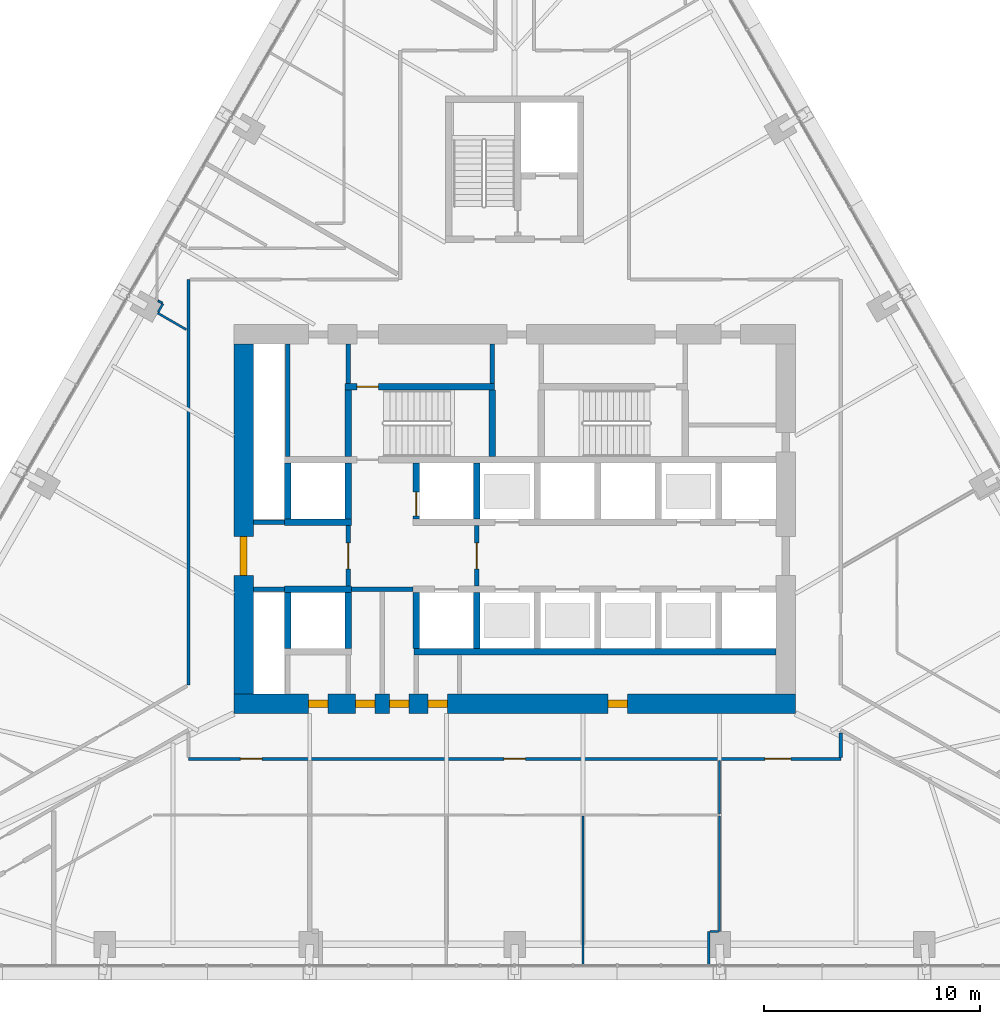
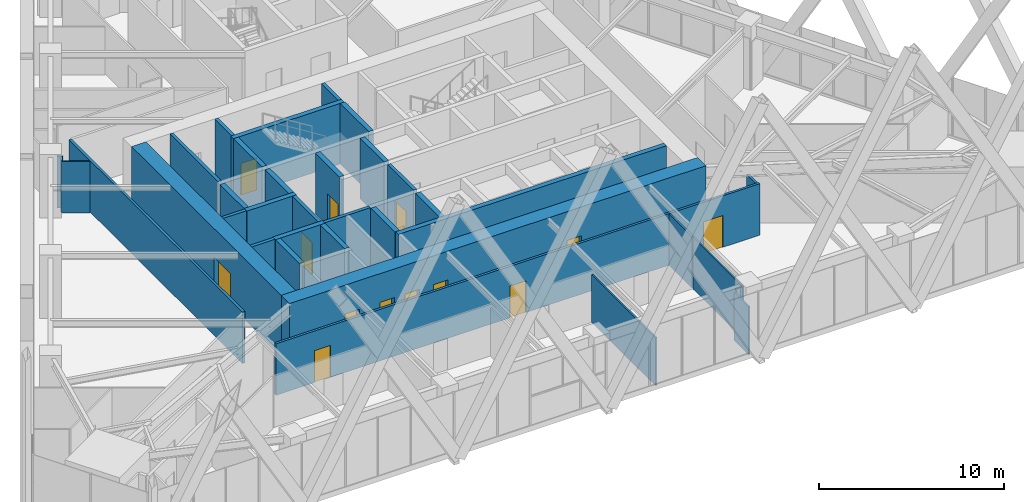
# One storey, part 16 of 21: 35 walls, 13 doors, 13 openings.
"""IFC4 building model written with IfcOpenShell, lengths in metres."""

from ifc_helpers import new_model, si_unit, direction, frame, frame_2d, origin, place, context, subcontext, project, spatial, rectangle, extrude, material, layer, layer_set, type_object, element, fill, save


model = new_model("IFC4")

# Units and contexts
model_context = context("Model", 3, precision=1e-05, world=origin(), true_north=direction((0.0, 1.0)))
body_context = subcontext(model_context, "Body", "Model", "MODEL_VIEW")
ifc_project = project(units=[si_unit("LENGTHUNIT", "METRE"), si_unit("AREAUNIT", "SQUARE_METRE"), si_unit("VOLUMEUNIT", "CUBIC_METRE"), si_unit("PLANEANGLEUNIT", "RADIAN"), si_unit("MASSUNIT", "GRAM", prefix="KILO")], contexts=[model_context])

# Site, building, storey
site_placement = place(None, origin())
site = spatial("IfcSite", under=ifc_project, at=site_placement, CompositionType="ELEMENT")
building_placement = place(site_placement, origin())
building = spatial("IfcBuilding", under=site, at=building_placement, Name="Firuza Gate Tower and Library", CompositionType="ELEMENT")
storey_placement = place(building_placement, frame((0.0, 0.0, 73.60009765625)))
storey = spatial("IfcBuildingStorey", under=building, at=storey_placement, Name="L16", CompositionType="ELEMENT", Elevation=73.60009765625)

# Walls
ifc_material_1 = material(Name="Plasterboard on steel studs", Category="steel")
ifc_layer_1 = layer(ifc_material_1, 0.199951171875)
ifc_layer_set_1 = layer_set([ifc_layer_1], Name="Core partition 200 EI 120")
wall_type_1 = type_object("IfcWallType", Name="Core partition 200 EI 120", PredefinedType="PARTITIONING", material=ifc_layer_set_1)
wall_1_placement = place(storey_placement, frame((62.89990234375, 71.75, 0.0), z_axis=(0.0, 0.0, 1.0), x_axis=(1.0, 0.0, 0.0)))
element("IfcWall", 1, at=wall_1_placement, inside=storey, type_object=wall_type_1, Name="Core partition L16 1", PredefinedType="PARTITIONING", context=body_context, shape_type="SweptSolid", body=[
    extrude(rectangle(XDim=1.4501953125, YDim=0.199951171875, at=frame_2d((0.72509765625, 0.0))), origin(), (0.0, 0.0, 1.0), 4.0),
])
wall_2_placement = place(storey_placement, frame((67.449951171875, 71.75, 0.0), z_axis=(0.0, 0.0, 1.0), x_axis=(1.0, 0.0, 0.0)))
element("IfcWall", 2, at=wall_2_placement, inside=storey, type_object=wall_type_1, Name="Core partition L16 2", PredefinedType="PARTITIONING", context=body_context, shape_type="SweptSolid", body=[
    extrude(rectangle(XDim=2.85009765625, YDim=0.199951171875, at=frame_2d((1.425048828125, 0.0))), origin(), (0.0, 0.0, 1.0), 4.0),
])
wall_3_placement = place(storey_placement, frame((62.89990234375, 74.85009765625, 0.0), z_axis=(0.0, 0.0, 1.0), x_axis=(1.0, 0.0, 0.0)))
element("IfcWall", 3, at=wall_3_placement, inside=storey, type_object=wall_type_1, Name="Core partition L16 3", PredefinedType="PARTITIONING", context=body_context, shape_type="SweptSolid", body=[
    extrude(rectangle(XDim=1.4501953125, YDim=0.199951171875, at=frame_2d((0.72509765625, 0.0))), origin(), (0.0, 0.0, 1.0), 4.0),
])
wall_4_placement = place(storey_placement, frame((64.5, 77.89990234375, 0.0), z_axis=(0.0, 0.0, 1.0), x_axis=(0.0, 1.0, 0.0)))
element("IfcWall", 4, at=wall_4_placement, inside=storey, type_object=wall_type_1, Name="Core partition L16 6", PredefinedType="PARTITIONING", context=body_context, shape_type="SweptSolid", body=[
    extrude(rectangle(XDim=5.2001953125, YDim=0.199951171875, at=frame_2d((2.60009765625, 0.0))), origin(), (0.0, 0.0, 1.0), 4.0),
])

# Wall, opening, door
ifc_material_2 = material(Name="Plasterboard on steel studs", Category="steel")
ifc_layer_2 = layer(ifc_material_2, 0.199951171875)
ifc_layer_set_2 = layer_set([ifc_layer_2], Name="Core partition 200 EI 60")
wall_type_2 = type_object("IfcWallType", Name="Core partition 200 EI 60", PredefinedType="PARTITIONING", material=ifc_layer_set_2)
wall_5_placement = place(storey_placement, frame((67.300048828125, 71.89990234375, 0.0), z_axis=(0.0, 0.0, 1.0), x_axis=(0.0, 1.0, 0.0)))
wall_5 = element("IfcWall", 5, at=wall_5_placement, inside=storey, type_object=wall_type_2, Name="Core partition L16 8", PredefinedType="PARTITIONING", context=body_context, shape_type="SweptSolid", body=[
    extrude(rectangle(XDim=2.800048828125, YDim=0.199951171875, at=frame_2d((1.39990234375, 0.0))), origin(), (0.0, 0.0, 1.0), 4.0),
])
opening_1_placement = place(wall_5_placement, frame((0.800048828125, 0.0, 0.0)))
opening_1 = element("IfcOpeningElement", 6, at=opening_1_placement, cuts=wall_5, Name="Opening L16-K21", PredefinedType="OPENING", context=body_context, shape_type="SweptSolid", body=[
    extrude(rectangle(XDim=1.199951171875, YDim=2.10009765625, at=frame_2d((0.60009765625, 1.050048828125))), frame((0.0, 0.10986328125, 0.0), z_axis=(0.0, -1.0, 0.0), x_axis=(1.0, 0.0, 0.0)), (0.0, 0.0, 1.0), 0.219970703125),
])
ifc_material_3 = material(Name="Steel", Category="steel")
door_type_1 = type_object("IfcDoorType", Name="Fire door 1200x2100 FD90S", OperationType="NOTDEFINED", PredefinedType="DOOR", material=ifc_material_3)
door_1_placement = place(opening_1_placement, origin())
door_1 = element("IfcDoor", 7, at=door_1_placement, inside=storey, type_object=door_type_1, Name="Door L16-K21", OperationType="SINGLE_SWING_RIGHT", OverallHeight=2.10009765625, OverallWidth=1.199951171875, PredefinedType="DOOR", context=body_context, shape_type="SweptSolid", body=[
    extrude(rectangle(XDim=1.199951171875, YDim=2.10009765625, at=frame_2d((0.60009765625, 1.050048828125))), frame((0.0, 0.02490234375, 0.0), z_axis=(0.0, -1.0, 0.0), x_axis=(1.0, 0.0, 0.0)), (0.0, 0.0, 1.0), 0.050048828125),
])
fill(opening_1, door_1)

# Wall
wall_6_placement = place(storey_placement, frame((67.300048828125, 81.280029296875, 0.0), z_axis=(0.0, 0.0, 1.0), x_axis=(0.0, 1.0, 0.0)))
element("IfcWall", 8, at=wall_6_placement, inside=storey, type_object=wall_type_2, Name="Core partition L16 9", PredefinedType="PARTITIONING", context=body_context, shape_type="SweptSolid", body=[
    extrude(rectangle(XDim=1.820068359375, YDim=0.199951171875, at=frame_2d((0.91015625, 0.0))), origin(), (0.0, 0.0, 1.0), 4.0),
])

# Wall, opening, door
wall_7_placement = place(storey_placement, frame((73.25, 71.89990234375, 0.0), z_axis=(0.0, 0.0, 1.0), x_axis=(0.0, 1.0, 0.0)))
wall_7 = element("IfcWall", 9, at=wall_7_placement, inside=storey, type_object=wall_type_2, Name="Core partition L16 13", PredefinedType="PARTITIONING", context=body_context, shape_type="SweptSolid", body=[
    extrude(rectangle(XDim=2.800048828125, YDim=0.199951171875, at=frame_2d((1.39990234375, 0.0))), origin(), (0.0, 0.0, 1.0), 4.0),
])
opening_2_placement = place(wall_7_placement, frame((0.800048828125, 0.0, 0.0)))
opening_2 = element("IfcOpeningElement", 10, at=opening_2_placement, cuts=wall_7, Name="Opening L16-K20", PredefinedType="OPENING", context=body_context, shape_type="SweptSolid", body=[
    extrude(rectangle(XDim=1.199951171875, YDim=2.10009765625, at=frame_2d((0.60009765625, 1.050048828125))), frame((0.0, 0.10986328125, 0.0), z_axis=(0.0, -1.0, 0.0), x_axis=(1.0, 0.0, 0.0)), (0.0, 0.0, 1.0), 0.219970703125),
])
door_2_placement = place(opening_2_placement, origin())
door_2 = element("IfcDoor", 11, at=door_2_placement, inside=storey, type_object=door_type_1, Name="Door L16-K20", OperationType="SINGLE_SWING_LEFT", OverallHeight=2.10009765625, OverallWidth=1.199951171875, PredefinedType="DOOR", context=body_context, shape_type="SweptSolid", body=[
    extrude(rectangle(XDim=1.199951171875, YDim=2.10009765625, at=frame_2d((0.60009765625, 1.050048828125))), frame((0.0, 0.02490234375, 0.0), z_axis=(0.0, -1.0, 0.0), x_axis=(1.0, 0.0, 0.0)), (0.0, 0.0, 1.0), 0.050048828125),
])
fill(opening_2, door_2)

# Walls
wall_8_placement = place(storey_placement, frame((73.9599609375, 81.280029296875, 0.0), z_axis=(0.0, 0.0, 1.0), x_axis=(0.0, 1.0, 0.0)))
element("IfcWall", 12, at=wall_8_placement, inside=storey, type_object=wall_type_2, Name="Core partition L16 14", PredefinedType="PARTITIONING", context=body_context, shape_type="SweptSolid", body=[
    extrude(rectangle(XDim=1.820068359375, YDim=0.199951171875, at=frame_2d((0.91015625, 0.0))), origin(), (0.0, 0.0, 1.0), 4.0),
])
ifc_material_4 = material(Name="Concrete C80/95", Category="concrete")
ifc_layer_3 = layer(ifc_material_4, 0.300048828125)
ifc_layer_set_3 = layer_set([ifc_layer_3], Name="Core wall 300 C80/95")
wall_type_3 = type_object("IfcWallType", Name="Core wall 300 C80/95", PredefinedType="SHEAR", material=ifc_layer_set_3)
wall_9_placement = place(storey_placement, frame((70.35009765625, 68.85009765625, 0.0), z_axis=(0.0, 0.0, 1.0), x_axis=(1.0, 0.0, 0.0)))
element("IfcWall", 13, at=wall_9_placement, inside=storey, type_object=wall_type_3, Name="Core wall L16 6", PredefinedType="SHEAR", context=body_context, shape_type="SweptSolid", body=[
    extrude(rectangle(XDim=16.75, YDim=0.300048828125, at=frame_2d((8.375, 0.0))), origin(), (0.0, 0.0, 1.0), 4.0),
])
for number, where, z_axis, x_axis, name in (
    (14, (64.35009765625, 71.75, 0.0), (0.0, 0.0, 1.0), (1.0, 0.0, 0.0), "Core wall L16 7"),
    (15, (64.35009765625, 74.85009765625, 0.0), (0.0, 0.0, 1.0), (1.0, 0.0, 0.0), "Core wall L16 9"),
):
    element("IfcWall", number, at=place(storey_placement, frame(where, z_axis=z_axis, x_axis=x_axis)), inside=storey, type_object=wall_type_3, Name=name, PredefinedType="SHEAR", context=body_context, shape_type="SweptSolid", body=[
        extrude(rectangle(XDim=3.099853515625, YDim=0.300048828125, at=frame_2d((1.5498046875, 0.0))), origin(), (0.0, 0.0, 1.0), 4.0),
    ])
for number, where, z_axis, x_axis, name in (
    (16, (64.5, 69.0, 0.0), (0.0, 0.0, 1.0), (0.0, 1.0, 0.0), "Core wall L16 11"),
    (17, (64.5, 75.0, 0.0), (0.0, 0.0, 1.0), (0.0, 1.0, 0.0), "Core wall L16 12"),
    (18, (67.300048828125, 69.0, 0.0), (0.0, 0.0, 1.0), (0.0, 1.0, 0.0), "Core wall L16 13"),
    (19, (67.300048828125, 75.0, 0.0), (0.0, 0.0, 1.0), (0.0, 1.0, 0.0), "Core wall L16 14"),
    (20, (70.449951171875, 69.0, 0.0), (0.0, 0.0, 1.0), (0.0, 1.0, 0.0), "Core wall L16 15"),
):
    element("IfcWall", number, at=place(storey_placement, frame(where, z_axis=z_axis, x_axis=x_axis)), inside=storey, type_object=wall_type_3, Name=name, PredefinedType="SHEAR", context=body_context, shape_type="SweptSolid", body=[
        extrude(rectangle(XDim=2.60009765625, YDim=0.300048828125, at=frame_2d((1.300048828125, 0.0))), origin(), (0.0, 0.0, 1.0), 4.0),
    ])

# Wall, opening, door
wall_10_placement = place(storey_placement, frame((70.449951171875, 75.0, 0.0), z_axis=(0.0, 0.0, 1.0), x_axis=(0.0, 1.0, 0.0)))
wall_10 = element("IfcWall", 21, at=wall_10_placement, inside=storey, type_object=wall_type_3, Name="Core wall L16 16", PredefinedType="SHEAR", context=body_context, shape_type="SweptSolid", body=[
    extrude(rectangle(XDim=2.60009765625, YDim=0.300048828125, at=frame_2d((1.300048828125, 0.0))), origin(), (0.0, 0.0, 1.0), 4.0),
])
opening_3_placement = place(wall_10_placement, frame((0.14990234375, 0.0, 0.0)))
opening_3 = element("IfcOpeningElement", 22, at=opening_3_placement, cuts=wall_10, Name="Opening LD-FF2-L16", PredefinedType="OPENING", context=body_context, shape_type="SweptSolid", body=[
    extrude(rectangle(XDim=1.10009765625, YDim=2.10009765625, at=frame_2d((0.550048828125, 1.050048828125))), frame((0.0, 0.16015625, 0.0), z_axis=(0.0, -1.0, 0.0), x_axis=(1.0, 0.0, 0.0)), (0.0, 0.0, 1.0), 0.320068359375),
])
ifc_material_5 = material(Name="Stainless steel", Category="steel")
door_type_2 = type_object("IfcDoorType", Name="Lift landing door 1100x2100", OperationType="DOUBLE_DOOR_SLIDING", PredefinedType="DOOR", material=ifc_material_5)
door_3_placement = place(opening_3_placement, origin())
door_3 = element("IfcDoor", 23, at=door_3_placement, inside=storey, type_object=door_type_2, Name="Landing door FF2 L16", OperationType="DOUBLE_DOOR_SLIDING", OverallHeight=2.10009765625, OverallWidth=1.10009765625, PredefinedType="DOOR", context=body_context, shape_type="SweptSolid", body=[
    extrude(rectangle(XDim=1.10009765625, YDim=2.10009765625, at=frame_2d((0.550048828125, 1.050048828125))), frame((0.0, 0.02490234375, 0.0), z_axis=(0.0, -1.0, 0.0), x_axis=(1.0, 0.0, 0.0)), (0.0, 0.0, 1.0), 0.050048828125),
])
fill(opening_3, door_3)

# Walls
for number, where, z_axis, x_axis, name in (
    (24, (73.25, 69.0, 0.0), (0.0, 0.0, 1.0), (0.0, 1.0, 0.0), "Core wall L16 17"),
    (25, (73.25, 75.0, 0.0), (0.0, 0.0, 1.0), (0.0, 1.0, 0.0), "Core wall L16 18"),
):
    element("IfcWall", number, at=place(storey_placement, frame(where, z_axis=z_axis, x_axis=x_axis)), inside=storey, type_object=wall_type_3, Name=name, PredefinedType="SHEAR", context=body_context, shape_type="SweptSolid", body=[
        extrude(rectangle(XDim=2.60009765625, YDim=0.300048828125, at=frame_2d((1.300048828125, 0.0))), origin(), (0.0, 0.0, 1.0), 4.0),
    ])

# Wall, opening, door
wall_11_placement = place(storey_placement, frame((67.14990234375, 81.1298828125, 0.0), z_axis=(0.0, 0.0, 1.0), x_axis=(1.0, 0.0, 0.0)))
wall_11 = element("IfcWall", 26, at=wall_11_placement, inside=storey, type_object=wall_type_3, Name="Core wall L16 28", PredefinedType="SHEAR", context=body_context, shape_type="SweptSolid", body=[
    extrude(rectangle(XDim=6.91015625, YDim=0.300048828125, at=frame_2d((3.455078125, 0.0))), origin(), (0.0, 0.0, 1.0), 4.0),
])
opening_4_placement = place(wall_11_placement, frame((0.544921875, 0.0, 0.0)))
opening_4 = element("IfcOpeningElement", 27, at=opening_4_placement, cuts=wall_11, Name="Opening L16-K13", PredefinedType="OPENING", context=body_context, shape_type="SweptSolid", body=[
    extrude(rectangle(XDim=1.0, YDim=2.10009765625, at=frame_2d((0.5, 1.050048828125))), frame((0.0, 0.16015625, 0.0), z_axis=(0.0, -1.0, 0.0), x_axis=(1.0, 0.0, 0.0)), (0.0, 0.0, 1.0), 0.320068359375),
])
ifc_material_6 = material(Name="Steel", Category="steel")
door_type_3 = type_object("IfcDoorType", Name="Fire door 1000x2100 FD90", OperationType="NOTDEFINED", PredefinedType="DOOR", material=ifc_material_6)
door_4_placement = place(opening_4_placement, origin())
door_4 = element("IfcDoor", 28, at=door_4_placement, inside=storey, type_object=door_type_3, Name="Door L16-K13", OperationType="SINGLE_SWING_RIGHT", OverallHeight=2.10009765625, OverallWidth=1.0, PredefinedType="DOOR", context=body_context, shape_type="SweptSolid", body=[
    extrude(rectangle(XDim=1.0, YDim=2.10009765625, at=frame_2d((0.5, 1.050048828125))), frame((0.0, 0.02490234375, 0.0), z_axis=(0.0, -1.0, 0.0), x_axis=(1.0, 0.0, 0.0)), (0.0, 0.0, 1.0), 0.050048828125),
])
fill(opening_4, door_4)

# Walls
for number, where, z_axis, x_axis, name in (
    (29, (67.300048828125, 77.89990234375, 0.0), (0.0, 0.0, 1.0), (0.0, 1.0, 0.0), "Core wall L16 30"),
    (30, (73.9599609375, 77.89990234375, 0.0), (0.0, 0.0, 1.0), (0.0, 1.0, 0.0), "Core wall L16 31"),
):
    element("IfcWall", number, at=place(storey_placement, frame(where, z_axis=z_axis, x_axis=x_axis)), inside=storey, type_object=wall_type_3, Name=name, PredefinedType="SHEAR", context=body_context, shape_type="SweptSolid", body=[
        extrude(rectangle(XDim=3.080078125, YDim=0.300048828125, at=frame_2d((1.5400390625, 0.0))), origin(), (0.0, 0.0, 1.0), 4.0),
    ])

# Wall, openings, doors
ifc_material_7 = material(Name="Concrete C80/95", Category="concrete")
ifc_layer_4 = layer(ifc_material_7, 0.89990234375)
ifc_layer_set_4 = layer_set([ifc_layer_4], Name="Core wall 900 C80/95")
wall_type_4 = type_object("IfcWallType", Name="Core wall 900 C80/95", PredefinedType="SHEAR", material=ifc_layer_set_4)
wall_12_placement = place(storey_placement, frame((62.0, 66.449951171875, 0.0), z_axis=(0.0, 0.0, 1.0), x_axis=(1.0, 0.0, 0.0)))
wall_12 = element("IfcWall", 31, at=wall_12_placement, inside=storey, type_object=wall_type_4, Name="Core wall L16 1", PredefinedType="SHEAR", context=body_context, shape_type="SweptSolid", body=[
    extrude(rectangle(XDim=26.0, YDim=0.89990234375, at=frame_2d((13.0, 0.0))), origin(), (0.0, 0.0, 1.0), 4.0),
])
opening_5_placement = place(wall_12_placement, frame((3.449951171875, 0.0, 0.0)))
opening_5 = element("IfcOpeningElement", 32, at=opening_5_placement, cuts=wall_12, Name="Opening L16-K24", PredefinedType="OPENING", context=body_context, shape_type="SweptSolid", body=[
    extrude(rectangle(XDim=0.89990234375, YDim=2.10009765625, at=frame_2d((0.449951171875, 1.050048828125))), frame((0.0, 0.4599609375, 0.0), z_axis=(0.0, -1.0, 0.0), x_axis=(1.0, 0.0, 0.0)), (0.0, 0.0, 1.0), 0.919921875),
])
opening_6_placement = place(wall_12_placement, frame((5.637451171875, 0.0, 0.0)))
opening_6 = element("IfcOpeningElement", 33, at=opening_6_placement, cuts=wall_12, Name="Opening L16-K25", PredefinedType="OPENING", context=body_context, shape_type="SweptSolid", body=[
    extrude(rectangle(XDim=0.89990234375, YDim=2.10009765625, at=frame_2d((0.449951171875, 1.050048828125))), frame((0.0, 0.4599609375, 0.0), z_axis=(0.0, -1.0, 0.0), x_axis=(1.0, 0.0, 0.0)), (0.0, 0.0, 1.0), 0.919921875),
])
opening_7_placement = place(wall_12_placement, frame((7.21240234375, 0.0, 0.0)))
opening_7 = element("IfcOpeningElement", 34, at=opening_7_placement, cuts=wall_12, Name="Opening L16-K26", PredefinedType="OPENING", context=body_context, shape_type="SweptSolid", body=[
    extrude(rectangle(XDim=0.89990234375, YDim=2.10009765625, at=frame_2d((0.449951171875, 1.050048828125))), frame((0.0, 0.4599609375, 0.0), z_axis=(0.0, -1.0, 0.0), x_axis=(1.0, 0.0, 0.0)), (0.0, 0.0, 1.0), 0.919921875),
])
opening_8_placement = place(wall_12_placement, frame((8.9990234375, 0.0, 0.0)))
opening_8 = element("IfcOpeningElement", 35, at=opening_8_placement, cuts=wall_12, Name="Opening L16-K27", PredefinedType="OPENING", context=body_context, shape_type="SweptSolid", body=[
    extrude(rectangle(XDim=0.89990234375, YDim=2.10009765625, at=frame_2d((0.449951171875, 1.050048828125))), frame((0.0, 0.4599609375, 0.0), z_axis=(0.0, -1.0, 0.0), x_axis=(1.0, 0.0, 0.0)), (0.0, 0.0, 1.0), 0.919921875),
])
opening_9_placement = place(wall_12_placement, frame((17.323974609375, 0.0, 0.0)))
opening_9 = element("IfcOpeningElement", 36, at=opening_9_placement, cuts=wall_12, Name="Opening L16-K28", PredefinedType="OPENING", context=body_context, shape_type="SweptSolid", body=[
    extrude(rectangle(XDim=0.89990234375, YDim=2.10009765625, at=frame_2d((0.449951171875, 1.050048828125))), frame((0.0, 0.4599609375, 0.0), z_axis=(0.0, -1.0, 0.0), x_axis=(1.0, 0.0, 0.0)), (0.0, 0.0, 1.0), 0.919921875),
])
ifc_material_8 = material(Name="Steel", Category="steel")
door_type_4 = type_object("IfcDoorType", Name="Fire door 900x2100 FD30S", OperationType="NOTDEFINED", PredefinedType="DOOR", material=ifc_material_8)
door_5_placement = place(opening_5_placement, origin())
door_5 = element("IfcDoor", 37, at=door_5_placement, inside=storey, type_object=door_type_4, Name="Door L16-K24", OperationType="SINGLE_SWING_LEFT", OverallHeight=2.10009765625, OverallWidth=0.89990234375, PredefinedType="DOOR", context=body_context, shape_type="SweptSolid", body=[
    extrude(rectangle(XDim=0.89990234375, YDim=2.10009765625, at=frame_2d((0.449951171875, 1.050048828125))), frame((0.0, 0.169921875, 0.0), z_axis=(0.0, -1.0, 0.0), x_axis=(1.0, 0.0, 0.0)), (0.0, 0.0, 1.0), 0.33984375),
])
fill(opening_5, door_5)
door_6_placement = place(opening_6_placement, origin())
door_6 = element("IfcDoor", 38, at=door_6_placement, inside=storey, type_object=door_type_4, Name="Door L16-K25", OperationType="SINGLE_SWING_RIGHT", OverallHeight=2.10009765625, OverallWidth=0.89990234375, PredefinedType="DOOR", context=body_context, shape_type="SweptSolid", body=[
    extrude(rectangle(XDim=0.89990234375, YDim=2.10009765625, at=frame_2d((0.449951171875, 1.050048828125))), frame((0.0, 0.169921875, 0.0), z_axis=(0.0, -1.0, 0.0), x_axis=(1.0, 0.0, 0.0)), (0.0, 0.0, 1.0), 0.33984375),
])
fill(opening_6, door_6)
door_7_placement = place(opening_7_placement, origin())
door_7 = element("IfcDoor", 39, at=door_7_placement, inside=storey, type_object=door_type_4, Name="Door L16-K26", OperationType="SINGLE_SWING_LEFT", OverallHeight=2.10009765625, OverallWidth=0.89990234375, PredefinedType="DOOR", context=body_context, shape_type="SweptSolid", body=[
    extrude(rectangle(XDim=0.89990234375, YDim=2.10009765625, at=frame_2d((0.449951171875, 1.050048828125))), frame((0.0, 0.169921875, 0.0), z_axis=(0.0, -1.0, 0.0), x_axis=(1.0, 0.0, 0.0)), (0.0, 0.0, 1.0), 0.33984375),
])
fill(opening_7, door_7)
door_8_placement = place(opening_8_placement, origin())
door_8 = element("IfcDoor", 40, at=door_8_placement, inside=storey, type_object=door_type_4, Name="Door L16-K27", OperationType="SINGLE_SWING_RIGHT", OverallHeight=2.10009765625, OverallWidth=0.89990234375, PredefinedType="DOOR", context=body_context, shape_type="SweptSolid", body=[
    extrude(rectangle(XDim=0.89990234375, YDim=2.10009765625, at=frame_2d((0.449951171875, 1.050048828125))), frame((0.0, 0.169921875, 0.0), z_axis=(0.0, -1.0, 0.0), x_axis=(1.0, 0.0, 0.0)), (0.0, 0.0, 1.0), 0.33984375),
])
fill(opening_8, door_8)
door_9_placement = place(opening_9_placement, origin())
door_9 = element("IfcDoor", 41, at=door_9_placement, inside=storey, type_object=door_type_4, Name="Door L16-K28", OperationType="SINGLE_SWING_LEFT", OverallHeight=2.10009765625, OverallWidth=0.89990234375, PredefinedType="DOOR", context=body_context, shape_type="SweptSolid", body=[
    extrude(rectangle(XDim=0.89990234375, YDim=2.10009765625, at=frame_2d((0.449951171875, 1.050048828125))), frame((0.0, 0.169921875, 0.0), z_axis=(0.0, -1.0, 0.0), x_axis=(1.0, 0.0, 0.0)), (0.0, 0.0, 1.0), 0.33984375),
])
fill(opening_9, door_9)

# Wall, opening, door
wall_13_placement = place(storey_placement, frame((62.449951171875, 66.89990234375, 0.0), z_axis=(0.0, 0.0, 1.0), x_axis=(0.0, 1.0, 0.0)))
wall_13 = element("IfcWall", 42, at=wall_13_placement, inside=storey, type_object=wall_type_4, Name="Core wall L16 3", PredefinedType="SHEAR", context=body_context, shape_type="SweptSolid", body=[
    extrude(rectangle(XDim=16.2001953125, YDim=0.89990234375, at=frame_2d((8.10009765625, 0.0))), origin(), (0.0, 0.0, 1.0), 4.0),
])
opening_10_placement = place(wall_13_placement, frame((5.5, 0.0, 0.0)))
opening_10 = element("IfcOpeningElement", 43, at=opening_10_placement, cuts=wall_13, Name="Opening L16-K22", PredefinedType="OPENING", context=body_context, shape_type="SweptSolid", body=[
    extrude(rectangle(XDim=1.800048828125, YDim=2.10009765625, at=frame_2d((0.89990234375, 1.050048828125))), frame((0.0, 0.4599609375, 0.0), z_axis=(0.0, -1.0, 0.0), x_axis=(1.0, 0.0, 0.0)), (0.0, 0.0, 1.0), 0.919921875),
])
ifc_material_9 = material(Name="Steel", Category="steel")
door_type_5 = type_object("IfcDoorType", Name="Fire door 1800x2100 FD30S", OperationType="NOTDEFINED", PredefinedType="DOOR", material=ifc_material_9)
door_10_placement = place(opening_10_placement, origin())
door_10 = element("IfcDoor", 44, at=door_10_placement, inside=storey, type_object=door_type_5, Name="Door L16-K22", OperationType="SINGLE_SWING_LEFT", OverallHeight=2.10009765625, OverallWidth=1.800048828125, PredefinedType="DOOR", context=body_context, shape_type="SweptSolid", body=[
    extrude(rectangle(XDim=1.800048828125, YDim=2.10009765625, at=frame_2d((0.89990234375, 1.050048828125))), frame((0.0, 0.169921875, 0.0), z_axis=(0.0, -1.0, 0.0), x_axis=(1.0, 0.0, 0.0)), (0.0, 0.0, 1.0), 0.33984375),
])
fill(opening_10, door_10)

# Wall, openings, doors
ifc_material_10 = material(Name="Gypsum board partition")
ifc_layer_5 = layer(ifc_material_10, 0.14990234375)
ifc_layer_set_5 = layer_set([ifc_layer_5], Name="Corridor wall 150 double board on steel studs")
wall_type_5 = type_object("IfcWallType", Name="Corridor wall 150 double board on steel studs", PredefinedType="PARTITIONING", material=ifc_layer_set_5)
wall_14_placement = place(storey_placement, frame((90.099365234375, 63.89990234375, 0.0), z_axis=(0.0, 0.0, 1.0), x_axis=(-1.0, 0.0, 0.0)))
wall_14 = element("IfcWall", 45, at=wall_14_placement, inside=storey, type_object=wall_type_5, Name="f:L16:w003", PredefinedType="PARTITIONING", context=body_context, shape_type="SweptSolid", body=[
    extrude(rectangle(XDim=30.199462890625, YDim=0.14990234375, at=frame_2d((15.099609375, 0.0))), origin(), (0.0, 0.0, 1.0), 3.39990234375),
])
opening_11_placement = place(wall_14_placement, frame((2.30859375, 0.0, 0.0)))
opening_11 = element("IfcOpeningElement", 46, at=opening_11_placement, cuts=wall_14, Name="Opening L16-05", PredefinedType="OPENING", context=body_context, shape_type="SweptSolid", body=[
    extrude(rectangle(XDim=1.199951171875, YDim=2.10009765625, at=frame_2d((0.60009765625, 1.050048828125))), frame((0.0, 0.0849609375, 0.0), z_axis=(0.0, -1.0, 0.0), x_axis=(1.0, 0.0, 0.0)), (0.0, 0.0, 1.0), 0.169921875),
])
opening_12_placement = place(wall_14_placement, frame((14.599365234375, 0.0, 0.0)))
opening_12 = element("IfcOpeningElement", 47, at=opening_12_placement, cuts=wall_14, Name="Opening L16-06", PredefinedType="OPENING", context=body_context, shape_type="SweptSolid", body=[
    extrude(rectangle(XDim=1.0, YDim=2.10009765625, at=frame_2d((0.5, 1.050048828125))), frame((0.0, 0.0849609375, 0.0), z_axis=(0.0, -1.0, 0.0), x_axis=(1.0, 0.0, 0.0)), (0.0, 0.0, 1.0), 0.169921875),
])
opening_13_placement = place(wall_14_placement, frame((26.79052734375, 0.0, 0.0)))
opening_13 = element("IfcOpeningElement", 48, at=opening_13_placement, cuts=wall_14, Name="Opening L16-07", PredefinedType="OPENING", context=body_context, shape_type="SweptSolid", body=[
    extrude(rectangle(XDim=1.0, YDim=2.10009765625, at=frame_2d((0.5, 1.050048828125))), frame((0.0, 0.0849609375, 0.0), z_axis=(0.0, -1.0, 0.0), x_axis=(1.0, 0.0, 0.0)), (0.0, 0.0, 1.0), 0.169921875),
])
ifc_material_11 = material(Name="Steel door and timber leaf", Category="steel")
door_type_6 = type_object("IfcDoorType", Name="Fire door 1000 x 2100 steel frame, timber leaf", OperationType="NOTDEFINED", PredefinedType="DOOR", material=ifc_material_11)
door_11_placement = place(opening_12_placement, origin())
door_11 = element("IfcDoor", 49, at=door_11_placement, inside=storey, type_object=door_type_6, Name="f:L16:d006", OperationType="SINGLE_SWING_RIGHT", OverallHeight=2.10009765625, OverallWidth=1.0, PredefinedType="DOOR", context=body_context, shape_type="SweptSolid", body=[
    extrude(rectangle(XDim=1.0, YDim=2.10009765625, at=frame_2d((0.5, 1.050048828125))), frame((0.0, 0.02490234375, 0.0), z_axis=(0.0, -1.0, 0.0), x_axis=(1.0, 0.0, 0.0)), (0.0, 0.0, 1.0), 0.050048828125),
])
fill(opening_12, door_11)
door_12_placement = place(opening_13_placement, origin())
door_12 = element("IfcDoor", 50, at=door_12_placement, inside=storey, type_object=door_type_6, Name="f:L16:d007", OperationType="SINGLE_SWING_LEFT", OverallHeight=2.10009765625, OverallWidth=1.0, PredefinedType="DOOR", context=body_context, shape_type="SweptSolid", body=[
    extrude(rectangle(XDim=1.0, YDim=2.10009765625, at=frame_2d((0.5, 1.050048828125))), frame((0.0, 0.02490234375, 0.0), z_axis=(0.0, -1.0, 0.0), x_axis=(1.0, 0.0, 0.0)), (0.0, 0.0, 1.0), 0.050048828125),
])
fill(opening_13, door_12)
ifc_material_12 = material(Name="Steel door and timber leaf", Category="steel")
door_type_7 = type_object("IfcDoorType", Name="Fire door 1200 x 2100 steel frame, double leaf", OperationType="NOTDEFINED", PredefinedType="DOOR", material=ifc_material_12)
door_13_placement = place(opening_11_placement, origin())
door_13 = element("IfcDoor", 51, at=door_13_placement, inside=storey, type_object=door_type_7, Name="f:L16:d005", OperationType="DOUBLE_DOOR_SINGLE_SWING", OverallHeight=2.10009765625, OverallWidth=1.199951171875, PredefinedType="DOOR", context=body_context, shape_type="SweptSolid", body=[
    extrude(rectangle(XDim=1.199951171875, YDim=2.10009765625, at=frame_2d((0.60009765625, 1.050048828125))), frame((0.0, 0.02490234375, 0.0), z_axis=(0.0, -1.0, 0.0), x_axis=(1.0, 0.0, 0.0)), (0.0, 0.0, 1.0), 0.050048828125),
])
fill(opening_11, door_13)

# Walls
wall_15_placement = place(storey_placement, frame((90.10009765625, 63.9755859375, 0.0), z_axis=(0.0, 0.0, 1.0), x_axis=(0.0, 1.0, 0.0)))
element("IfcWall", 52, at=wall_15_placement, inside=storey, type_object=wall_type_5, Name="f:L16:w030", PredefinedType="PARTITIONING", context=body_context, shape_type="SweptSolid", body=[
    extrude(rectangle(XDim=1.130615234375, YDim=0.14990234375, at=frame_2d((0.5654296875, 0.0))), origin(), (0.0, 0.0, 1.0), 3.246826171875),
])
wall_16_placement = place(storey_placement, frame((59.89990234375, 67.3212890625, 0.0), z_axis=(0.0, 0.0, 1.0), x_axis=(0.0, 1.0, 0.0)))
element("IfcWall", 53, at=wall_16_placement, inside=storey, type_object=wall_type_5, Name="f:L16:w049", PredefinedType="PARTITIONING", context=body_context, shape_type="SweptSolid", body=[
    extrude(rectangle(XDim=18.7783203125, YDim=0.14990234375, at=frame_2d((9.38916015625, 0.0))), origin(), (0.0, 0.0, 1.0), 3.39990234375),
])
ifc_material_13 = material(Name="Gypsum board partition")
ifc_layer_6 = layer(ifc_material_13, 0.10009765625)
ifc_layer_set_6 = layer_set([ifc_layer_6], Name="Partition 100 gypsum board on steel studs")
wall_type_6 = type_object("IfcWallType", Name="Partition 100 gypsum board on steel studs", PredefinedType="PARTITIONING", material=ifc_layer_set_6)
wall_17_placement = place(storey_placement, frame((84.035888671875, 55.9140625, 0.0), z_axis=(0.0, 0.0, 1.0), x_axis=(1.0, 0.0, 0.0)))
element("IfcWall", 54, at=wall_17_placement, inside=storey, type_object=wall_type_6, Name="f:L16:w001", PredefinedType="PARTITIONING", context=body_context, shape_type="SweptSolid", body=[
    extrude(rectangle(XDim=0.39892578125, YDim=0.10009765625, at=frame_2d((0.199462890625, 0.0))), origin(), (0.0, 0.0, 1.0), 3.39990234375),
])
wall_18_placement = place(storey_placement, frame((58.496337890625, 84.586669921875, 0.0), z_axis=(0.0, 0.0, 1.0), x_axis=(0.500114568548, 0.865959247497, 0.0)))
element("IfcWall", 55, at=wall_18_placement, inside=storey, type_object=wall_type_6, Name="f:L16:w026", PredefinedType="PARTITIONING", context=body_context, shape_type="SweptSolid", body=[
    extrude(rectangle(XDim=0.44921875, YDim=0.10009765625, at=frame_2d((0.224609375, 0.0))), origin(), (0.0, 0.0, 1.0), 3.39990234375),
])
wall_19_placement = place(storey_placement, frame((84.485107421875, 55.91455078125, 0.0), z_axis=(0.0, 0.0, 1.0), x_axis=(0.0, 1.0, 0.0)))
element("IfcWall", 56, at=wall_19_placement, inside=storey, type_object=wall_type_6, Name="f:L16:w032", PredefinedType="PARTITIONING", context=body_context, shape_type="SweptSolid", body=[
    extrude(rectangle(XDim=5.33544921875, YDim=0.10009765625, at=frame_2d((2.667724609375, 0.0))), origin(), (0.0, 0.0, 1.0), 3.39990234375),
])
wall_20_placement = place(storey_placement, frame((83.985107421875, 54.35400390625, 0.0), z_axis=(0.0, 0.0, 1.0), x_axis=(0.0, 1.0, 0.0)))
element("IfcWall", 57, at=wall_20_placement, inside=storey, type_object=wall_type_6, Name="f:L16:w033", PredefinedType="PARTITIONING", context=body_context, shape_type="SweptSolid", body=[
    extrude(rectangle(XDim=1.5595703125, YDim=0.10009765625, at=frame_2d((0.77978515625, 0.0))), origin(), (0.0, 0.0, 1.0), 3.164794921875),
])
wall_21_placement = place(storey_placement, frame((78.162109375, 54.35400390625, 0.0), z_axis=(0.0, 0.0, 1.0), x_axis=(0.0, 1.0, 0.0)))
element("IfcWall", 58, at=wall_21_placement, inside=storey, type_object=wall_type_6, Name="f:L16:w038", PredefinedType="PARTITIONING", context=body_context, shape_type="SweptSolid", body=[
    extrude(rectangle(XDim=6.89599609375, YDim=0.10009765625, at=frame_2d((3.447998046875, 0.0))), origin(), (0.0, 0.0, 1.0), 3.164794921875),
])
wall_22_placement = place(storey_placement, frame((58.677490234375, 85.001220703125, 0.0), z_axis=(0.0, 0.0, 1.0), x_axis=(-0.86610613113, 0.49986015006, 0.0)))
element("IfcWall", 59, at=wall_22_placement, inside=storey, type_object=wall_type_6, Name="f:L16:w068", PredefinedType="PARTITIONING", context=body_context, shape_type="SweptSolid", body=[
    extrude(rectangle(XDim=0.20458984375, YDim=0.10009765625, at=frame_2d((0.102294921875, 0.0))), origin(), (0.0, 0.0, 1.0), 3.39990234375),
])
wall_23_placement = place(storey_placement, frame((59.799072265625, 83.7763671875, 0.0), z_axis=(0.0, 0.0, 1.0), x_axis=(-0.866029087811, 0.499993619025, 0.0)))
element("IfcWall", 60, at=wall_23_placement, inside=storey, type_object=wall_type_6, Name="f:L16:w069", PredefinedType="PARTITIONING", context=body_context, shape_type="SweptSolid", body=[
    extrude(rectangle(XDim=1.53271484375, YDim=0.10009765625, at=frame_2d((0.766357421875, 0.0))), origin(), (0.0, 0.0, 1.0), 3.39990234375),
])
wall_24_placement = place(storey_placement, frame((84.485107421875, 61.35009765625, 0.0), z_axis=(0.0, 0.0, 1.0), x_axis=(0.0, 1.0, 0.0)))
element("IfcWall", 61, at=wall_24_placement, inside=storey, type_object=wall_type_6, Name="f:L16:w073", PredefinedType="PARTITIONING", context=body_context, shape_type="SweptSolid", body=[
    extrude(rectangle(XDim=2.474853515625, YDim=0.10009765625, at=frame_2d((1.2373046875, 0.0))), origin(), (0.0, 0.0, 1.0), 3.39990234375),
])

save(model, "model.ifc")
